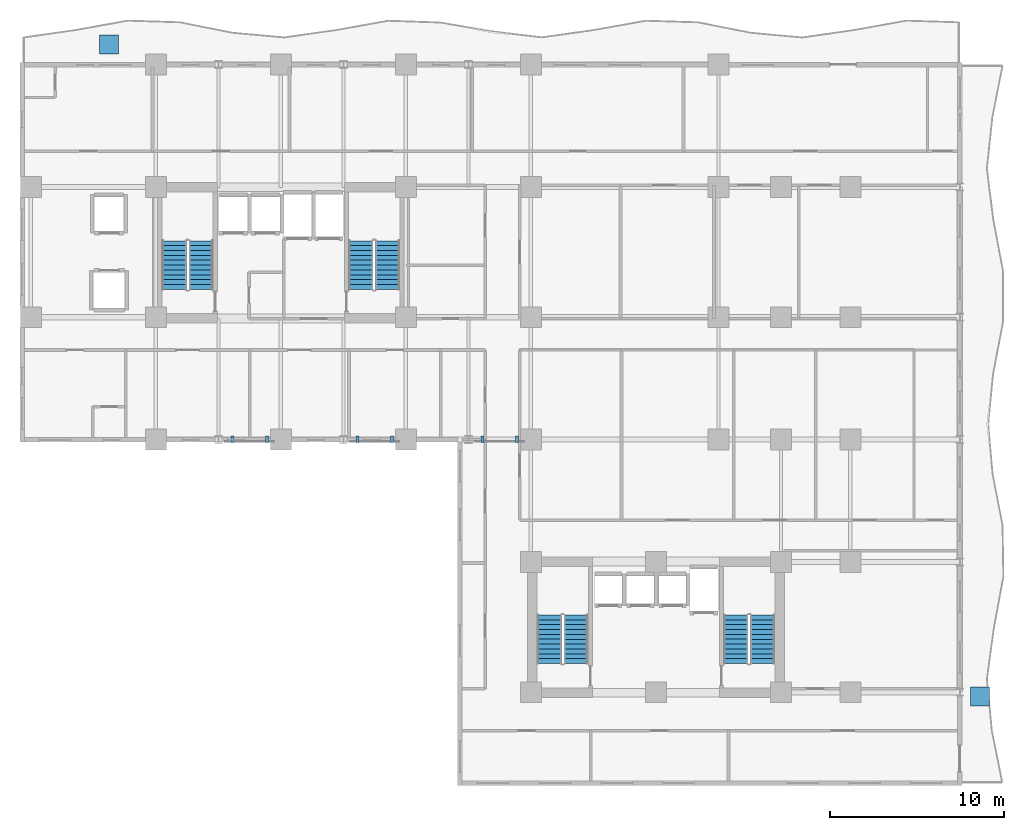
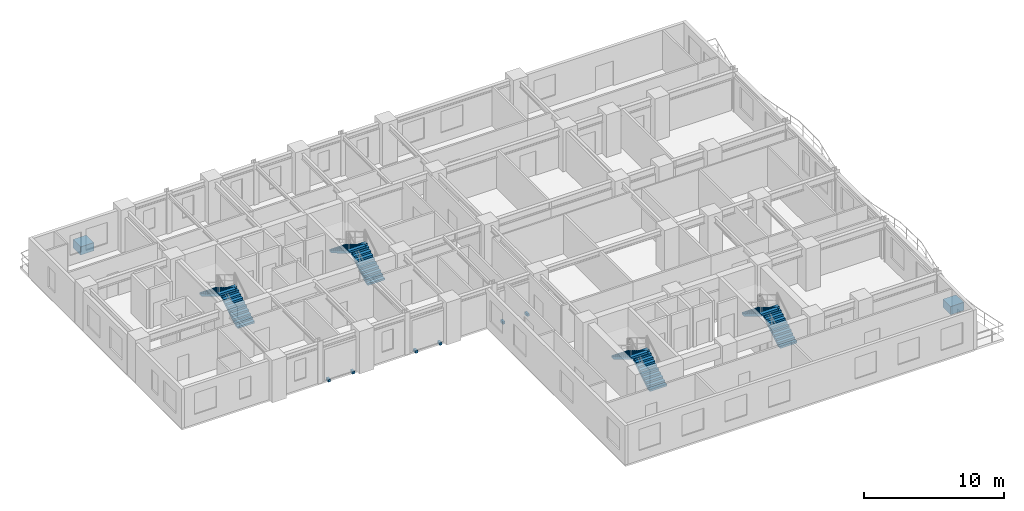
# One storey, part 8 of 11: 8 discrete accessories, 8 stair flights, 4 elements without a shape of their own.
"""IFC4 building model written with IfcOpenShell, lengths in metres."""

from ifc_helpers import new_model, si_unit, direction, frame, origin, origin_2d, place, context, subcontext, project, spatial, polyline, rectangle, outline, extrude, source, transform, mapped, material, type_object, element, aggregate, save


model = new_model("IFC4")

# Units and contexts
model_context = context("Model", 3, precision=1e-05, world=origin(), true_north=direction((0.0, 1.0)))
body_context = subcontext(model_context, "Body", "Model", "MODEL_VIEW")
ifc_project = project(units=[si_unit("LENGTHUNIT", "METRE"), si_unit("AREAUNIT", "SQUARE_METRE"), si_unit("VOLUMEUNIT", "CUBIC_METRE"), si_unit("PLANEANGLEUNIT", "RADIAN"), si_unit("MASSUNIT", "GRAM", prefix="KILO")], contexts=[model_context])

# Site, building, storey
site_placement = place(None, origin())
site = spatial("IfcSite", under=ifc_project, at=site_placement, CompositionType="ELEMENT")
building_placement = place(site_placement, origin())
building = spatial("IfcBuilding", under=site, at=building_placement, Name="Kaliganga Portal Commons", CompositionType="ELEMENT")
storey_placement = place(building_placement, frame((0.0, 0.0, 104.5)))
storey = spatial("IfcBuildingStorey", under=building, at=storey_placement, Name="L26", CompositionType="ELEMENT", Elevation=104.5)

# Stair, stair flights
ifc_material_1 = material(Name="Concrete C40/50", Category="concrete")
stair_type = type_object("IfcStairType", Name="ST-CORE-DOGLEG", PredefinedType="HALF_TURN_STAIR", material=ifc_material_1)
stair_1_placement = place(storey_placement, origin())
stair_1 = element("IfcStair", 1, at=stair_1_placement, inside=storey, type_object=stair_type, Name="L26 Protected Exit Stair ST-A1", PredefinedType="HALF_TURN_STAIR")
stair_flight_type = type_object("IfcStairFlightType", Name="STF-RC-1400", PredefinedType="STRAIGHT", material=ifc_material_1)
stair_flight_1_placement = place(storey_placement, frame((17.0, 30.25, 0.0), z_axis=(0.0, 0.0, 1.0), x_axis=(0.0, 1.0, 0.0)))
stair_flight_1 = element("IfcStairFlight", 2, at=stair_flight_1_placement, type_object=stair_flight_type, Name="ST-A1 flight 1", NumberOfRisers=11, NumberOfTreads=10, PredefinedType="STRAIGHT", RiserHeight=0.168181818, TreadLength=0.28, context=body_context, shape_type="SweptSolid", body=[
    extrude(outline(polyline([(0.0, 0.0), (0.0, 0.168212890625), (0.280029296875, 0.168212890625), (0.280029296875, 0.33642578125), (0.56005859375, 0.33642578125), (0.56005859375, 0.504638671875), (0.840087890625, 0.504638671875), (0.840087890625, 0.672607421875), (1.1201171875, 0.672607421875), (1.1201171875, 0.8408203125), (1.39990234375, 0.8408203125), (1.39990234375, 1.009033203125), (1.679931640625, 1.009033203125), (1.679931640625, 1.17724609375), (1.9599609375, 1.17724609375), (1.9599609375, 1.345458984375), (2.239990234375, 1.345458984375), (2.239990234375, 1.513671875), (2.52001953125, 1.513671875), (2.52001953125, 1.681884765625), (2.800048828125, 1.681884765625), (2.800048828125, 1.85009765625), (2.800048828125, 1.5068359375), (0.291015625, 0.0), (0.0, 0.0)])), frame((0.0, 0.699951171875, 0.0), z_axis=(0.0, -1.0, 0.0), x_axis=(1.0, 0.0, 0.0)), (0.0, 0.0, 1.0), 1.39990234375),
])
stair_flight_2_placement = place(storey_placement, frame((15.449951171875, 33.050048828125, 1.85009765625), z_axis=(0.0, 0.0, 1.0), x_axis=(0.0, -1.0, 0.0)))
stair_flight_2 = element("IfcStairFlight", 3, at=stair_flight_2_placement, type_object=stair_flight_type, Name="ST-A1 flight 2", NumberOfRisers=11, NumberOfTreads=10, PredefinedType="STRAIGHT", RiserHeight=0.168181818, TreadLength=0.28, context=body_context, shape_type="SweptSolid", body=[
    extrude(outline(polyline([(0.0, 0.0), (0.0, 0.168212890625), (0.280029296875, 0.168212890625), (0.280029296875, 0.33642578125), (0.56005859375, 0.33642578125), (0.56005859375, 0.504638671875), (0.840087890625, 0.504638671875), (0.840087890625, 0.672607421875), (1.1201171875, 0.672607421875), (1.1201171875, 0.8408203125), (1.39990234375, 0.8408203125), (1.39990234375, 1.009033203125), (1.679931640625, 1.009033203125), (1.679931640625, 1.17724609375), (1.9599609375, 1.17724609375), (1.9599609375, 1.345458984375), (2.239990234375, 1.345458984375), (2.239990234375, 1.513671875), (2.52001953125, 1.513671875), (2.52001953125, 1.681884765625), (2.800048828125, 1.681884765625), (2.800048828125, 1.85009765625), (2.800048828125, 1.5068359375), (0.291015625, 0.0), (0.0, 0.0)])), frame((0.0, 0.699951171875, 0.0), z_axis=(0.0, -1.0, 0.0), x_axis=(1.0, 0.0, 0.0)), (0.0, 0.0, 1.0), 1.39990234375),
])
aggregate(stair_1, [stair_flight_1, stair_flight_2])

stair_2_placement = place(storey_placement, origin())
stair_2 = element("IfcStair", 4, at=stair_2_placement, inside=storey, type_object=stair_type, Name="L26 Protected Exit Stair ST-A2", PredefinedType="HALF_TURN_STAIR")
stair_flight_3_placement = place(storey_placement, frame((27.75, 30.25, 0.0), z_axis=(0.0, 0.0, 1.0), x_axis=(0.0, 1.0, 0.0)))
stair_flight_3 = element("IfcStairFlight", 5, at=stair_flight_3_placement, type_object=stair_flight_type, Name="ST-A2 flight 1", NumberOfRisers=11, NumberOfTreads=10, PredefinedType="STRAIGHT", RiserHeight=0.168181818, TreadLength=0.28, context=body_context, shape_type="SweptSolid", body=[
    extrude(outline(polyline([(0.0, 0.0), (0.0, 0.168212890625), (0.280029296875, 0.168212890625), (0.280029296875, 0.33642578125), (0.56005859375, 0.33642578125), (0.56005859375, 0.504638671875), (0.840087890625, 0.504638671875), (0.840087890625, 0.672607421875), (1.1201171875, 0.672607421875), (1.1201171875, 0.8408203125), (1.39990234375, 0.8408203125), (1.39990234375, 1.009033203125), (1.679931640625, 1.009033203125), (1.679931640625, 1.17724609375), (1.9599609375, 1.17724609375), (1.9599609375, 1.345458984375), (2.239990234375, 1.345458984375), (2.239990234375, 1.513671875), (2.52001953125, 1.513671875), (2.52001953125, 1.681884765625), (2.800048828125, 1.681884765625), (2.800048828125, 1.85009765625), (2.800048828125, 1.5068359375), (0.291015625, 0.0), (0.0, 0.0)])), frame((0.0, 0.699951171875, 0.0), z_axis=(0.0, -1.0, 0.0), x_axis=(1.0, 0.0, 0.0)), (0.0, 0.0, 1.0), 1.39990234375),
])
stair_flight_4_placement = place(storey_placement, frame((26.199951171875, 33.050048828125, 1.85009765625), z_axis=(0.0, 0.0, 1.0), x_axis=(0.0, -1.0, 0.0)))
stair_flight_4 = element("IfcStairFlight", 6, at=stair_flight_4_placement, type_object=stair_flight_type, Name="ST-A2 flight 2", NumberOfRisers=11, NumberOfTreads=10, PredefinedType="STRAIGHT", RiserHeight=0.168181818, TreadLength=0.28, context=body_context, shape_type="SweptSolid", body=[
    extrude(outline(polyline([(0.0, 0.0), (0.0, 0.168212890625), (0.280029296875, 0.168212890625), (0.280029296875, 0.33642578125), (0.56005859375, 0.33642578125), (0.56005859375, 0.504638671875), (0.840087890625, 0.504638671875), (0.840087890625, 0.672607421875), (1.1201171875, 0.672607421875), (1.1201171875, 0.8408203125), (1.39990234375, 0.8408203125), (1.39990234375, 1.009033203125), (1.679931640625, 1.009033203125), (1.679931640625, 1.17724609375), (1.9599609375, 1.17724609375), (1.9599609375, 1.345458984375), (2.239990234375, 1.345458984375), (2.239990234375, 1.513671875), (2.52001953125, 1.513671875), (2.52001953125, 1.681884765625), (2.800048828125, 1.681884765625), (2.800048828125, 1.85009765625), (2.800048828125, 1.5068359375), (0.291015625, 0.0), (0.0, 0.0)])), frame((0.0, 0.699951171875, 0.0), z_axis=(0.0, -1.0, 0.0), x_axis=(1.0, 0.0, 0.0)), (0.0, 0.0, 1.0), 1.39990234375),
])
aggregate(stair_2, [stair_flight_3, stair_flight_4])

stair_3_placement = place(storey_placement, origin())
stair_3 = element("IfcStair", 7, at=stair_3_placement, inside=storey, type_object=stair_type, Name="L26 Protected Exit Stair ST-B1", PredefinedType="HALF_TURN_STAIR")
stair_flight_5_placement = place(storey_placement, frame((38.60009765625, 8.699951171875, 0.0), z_axis=(0.0, 0.0, 1.0), x_axis=(0.0, 1.0, 0.0)))
stair_flight_5 = element("IfcStairFlight", 8, at=stair_flight_5_placement, type_object=stair_flight_type, Name="ST-B1 flight 1", NumberOfRisers=11, NumberOfTreads=10, PredefinedType="STRAIGHT", RiserHeight=0.168181818, TreadLength=0.28, context=body_context, shape_type="SweptSolid", body=[
    extrude(outline(polyline([(0.0, 0.0), (0.0, 0.168212890625), (0.280029296875, 0.168212890625), (0.280029296875, 0.33642578125), (0.56005859375, 0.33642578125), (0.56005859375, 0.504638671875), (0.840087890625, 0.504638671875), (0.840087890625, 0.672607421875), (1.1201171875, 0.672607421875), (1.1201171875, 0.8408203125), (1.39990234375, 0.8408203125), (1.39990234375, 1.009033203125), (1.679931640625, 1.009033203125), (1.679931640625, 1.17724609375), (1.9599609375, 1.17724609375), (1.9599609375, 1.345458984375), (2.239990234375, 1.345458984375), (2.239990234375, 1.513671875), (2.52001953125, 1.513671875), (2.52001953125, 1.681884765625), (2.800048828125, 1.681884765625), (2.800048828125, 1.85009765625), (2.800048828125, 1.5068359375), (0.291015625, 0.0), (0.0, 0.0)])), frame((0.0, 0.699951171875, 0.0), z_axis=(0.0, -1.0, 0.0), x_axis=(1.0, 0.0, 0.0)), (0.0, 0.0, 1.0), 1.39990234375),
])
stair_flight_6_placement = place(storey_placement, frame((37.050048828125, 11.5, 1.85009765625), z_axis=(0.0, 0.0, 1.0), x_axis=(0.0, -1.0, 0.0)))
stair_flight_6 = element("IfcStairFlight", 9, at=stair_flight_6_placement, type_object=stair_flight_type, Name="ST-B1 flight 2", NumberOfRisers=11, NumberOfTreads=10, PredefinedType="STRAIGHT", RiserHeight=0.168181818, TreadLength=0.28, context=body_context, shape_type="SweptSolid", body=[
    extrude(outline(polyline([(0.0, 0.0), (0.0, 0.168212890625), (0.280029296875, 0.168212890625), (0.280029296875, 0.33642578125), (0.56005859375, 0.33642578125), (0.56005859375, 0.504638671875), (0.840087890625, 0.504638671875), (0.840087890625, 0.672607421875), (1.1201171875, 0.672607421875), (1.1201171875, 0.8408203125), (1.39990234375, 0.8408203125), (1.39990234375, 1.009033203125), (1.679931640625, 1.009033203125), (1.679931640625, 1.17724609375), (1.9599609375, 1.17724609375), (1.9599609375, 1.345458984375), (2.239990234375, 1.345458984375), (2.239990234375, 1.513671875), (2.52001953125, 1.513671875), (2.52001953125, 1.681884765625), (2.800048828125, 1.681884765625), (2.800048828125, 1.85009765625), (2.800048828125, 1.5068359375), (0.291015625, 0.0), (0.0, 0.0)])), frame((0.0, 0.699951171875, 0.0), z_axis=(0.0, -1.0, 0.0), x_axis=(1.0, 0.0, 0.0)), (0.0, 0.0, 1.0), 1.39990234375),
])
aggregate(stair_3, [stair_flight_5, stair_flight_6])

stair_4_placement = place(storey_placement, origin())
stair_4 = element("IfcStair", 10, at=stair_4_placement, inside=storey, type_object=stair_type, Name="L26 Protected Exit Stair ST-B2", PredefinedType="HALF_TURN_STAIR")
stair_flight_7_placement = place(storey_placement, frame((49.35009765625, 8.699951171875, 0.0), z_axis=(0.0, 0.0, 1.0), x_axis=(0.0, 1.0, 0.0)))
stair_flight_7 = element("IfcStairFlight", 11, at=stair_flight_7_placement, type_object=stair_flight_type, Name="ST-B2 flight 1", NumberOfRisers=11, NumberOfTreads=10, PredefinedType="STRAIGHT", RiserHeight=0.168181818, TreadLength=0.28, context=body_context, shape_type="SweptSolid", body=[
    extrude(outline(polyline([(0.0, 0.0), (0.0, 0.168212890625), (0.280029296875, 0.168212890625), (0.280029296875, 0.33642578125), (0.56005859375, 0.33642578125), (0.56005859375, 0.504638671875), (0.840087890625, 0.504638671875), (0.840087890625, 0.672607421875), (1.1201171875, 0.672607421875), (1.1201171875, 0.8408203125), (1.39990234375, 0.8408203125), (1.39990234375, 1.009033203125), (1.679931640625, 1.009033203125), (1.679931640625, 1.17724609375), (1.9599609375, 1.17724609375), (1.9599609375, 1.345458984375), (2.239990234375, 1.345458984375), (2.239990234375, 1.513671875), (2.52001953125, 1.513671875), (2.52001953125, 1.681884765625), (2.800048828125, 1.681884765625), (2.800048828125, 1.85009765625), (2.800048828125, 1.5068359375), (0.291015625, 0.0), (0.0, 0.0)])), frame((0.0, 0.699951171875, 0.0), z_axis=(0.0, -1.0, 0.0), x_axis=(1.0, 0.0, 0.0)), (0.0, 0.0, 1.0), 1.39990234375),
])
stair_flight_8_placement = place(storey_placement, frame((47.800048828125, 11.5, 1.85009765625), z_axis=(0.0, 0.0, 1.0), x_axis=(0.0, -1.0, 0.0)))
stair_flight_8 = element("IfcStairFlight", 12, at=stair_flight_8_placement, type_object=stair_flight_type, Name="ST-B2 flight 2", NumberOfRisers=11, NumberOfTreads=10, PredefinedType="STRAIGHT", RiserHeight=0.168181818, TreadLength=0.28, context=body_context, shape_type="SweptSolid", body=[
    extrude(outline(polyline([(0.0, 0.0), (0.0, 0.168212890625), (0.280029296875, 0.168212890625), (0.280029296875, 0.33642578125), (0.56005859375, 0.33642578125), (0.56005859375, 0.504638671875), (0.840087890625, 0.504638671875), (0.840087890625, 0.672607421875), (1.1201171875, 0.672607421875), (1.1201171875, 0.8408203125), (1.39990234375, 0.8408203125), (1.39990234375, 1.009033203125), (1.679931640625, 1.009033203125), (1.679931640625, 1.17724609375), (1.9599609375, 1.17724609375), (1.9599609375, 1.345458984375), (2.239990234375, 1.345458984375), (2.239990234375, 1.513671875), (2.52001953125, 1.513671875), (2.52001953125, 1.681884765625), (2.800048828125, 1.681884765625), (2.800048828125, 1.85009765625), (2.800048828125, 1.5068359375), (0.291015625, 0.0), (0.0, 0.0)])), frame((0.0, 0.699951171875, 0.0), z_axis=(0.0, -1.0, 0.0), x_axis=(1.0, 0.0, 0.0)), (0.0, 0.0, 1.0), 1.39990234375),
])
aggregate(stair_4, [stair_flight_7, stair_flight_8])

# Discrete accessories
ifc_material_2 = material(Name="Precast concrete C40/50", Category="concrete")
discrete_accessory_type_1 = type_object("IfcDiscreteAccessoryType", Name="DAC-PLANTER-RC", PredefinedType="USERDEFINED", material=ifc_material_2)
shared_shape_1 = source(origin(), body_context, "Body", "SweptSolid", [
    extrude(rectangle(XDim=1.10009765625, YDim=1.10009765625, at=origin_2d()), origin(), (0.0, 0.0, 1.0), 0.719970703125),
])
for number, where, z_axis, x_axis, name in (
    (13, (11.699951171875, 44.35009765625, 0.0), (0.0, 0.0, 1.0), (1.0, 0.0, 0.0), "Structural Tree Planter L26 balc_north"),
    (14, (61.85009765625, 6.800048828125, 0.0), (0.0, 0.0, 1.0), (1.0, 0.0, 0.0), "Structural Tree Planter L26 balc_east"),
):
    element("IfcDiscreteAccessory", number, at=place(storey_placement, frame(where, z_axis=z_axis, x_axis=x_axis)), inside=storey, type_object=discrete_accessory_type_1, Name=name, ObjectType="PLANTER", PredefinedType="USERDEFINED", context=body_context, shape_type="MappedRepresentation", body=[
        mapped(shared_shape_1, transform((0.0, 0.0, 0.0), x_axis=(1.0, 0.0, 0.0), y_axis=(0.0, 1.0, 0.0), z_axis=(0.0, 0.0, 1.0), scale=1.0)),
    ])
ifc_material_3 = material(Name="Structural steel S355J2", Category="steel")
discrete_accessory_type_2 = type_object("IfcDiscreteAccessoryType", Name="DAC-BRK-SCR", PredefinedType="BRACKET", material=ifc_material_3)
shared_shape_2 = source(origin(), body_context, "Body", "SweptSolid", [
    extrude(rectangle(XDim=0.179931640625, YDim=0.360107421875, at=origin_2d()), origin(), (0.0, 0.0, 1.0), 0.219970703125),
])
for number, where, z_axis, x_axis, name in (
    (15, (18.800048828125, 21.6201171875, -0.18994140625), (0.0, 0.0, 1.0), (1.0, 0.0, 0.0), "Solar Screen Outrigger Bracket L26-S1-1"),
    (16, (20.800048828125, 21.6201171875, -0.18994140625), (0.0, 0.0, 1.0), (1.0, 0.0, 0.0), "Solar Screen Outrigger Bracket L26-S1-2"),
    (17, (26.0, 21.6201171875, -0.18994140625), (0.0, 0.0, 1.0), (1.0, 0.0, 0.0), "Solar Screen Outrigger Bracket L26-S2-1"),
    (18, (28.0, 21.6201171875, -0.18994140625), (0.0, 0.0, 1.0), (1.0, 0.0, 0.0), "Solar Screen Outrigger Bracket L26-S2-2"),
    (19, (33.199951171875, 21.6201171875, -0.18994140625), (0.0, 0.0, 1.0), (1.0, 0.0, 0.0), "Solar Screen Outrigger Bracket L26-S3-1"),
    (20, (35.199951171875, 21.6201171875, -0.18994140625), (0.0, 0.0, 1.0), (1.0, 0.0, 0.0), "Solar Screen Outrigger Bracket L26-S3-2"),
):
    element("IfcDiscreteAccessory", number, at=place(storey_placement, frame(where, z_axis=z_axis, x_axis=x_axis)), inside=storey, type_object=discrete_accessory_type_2, Name=name, PredefinedType="BRACKET", context=body_context, shape_type="MappedRepresentation", body=[
        mapped(shared_shape_2, transform((0.0, 0.0, 0.0), x_axis=(1.0, 0.0, 0.0), y_axis=(0.0, 1.0, 0.0), z_axis=(0.0, 0.0, 1.0), scale=1.0)),
    ])

save(model, "model.ifc")
